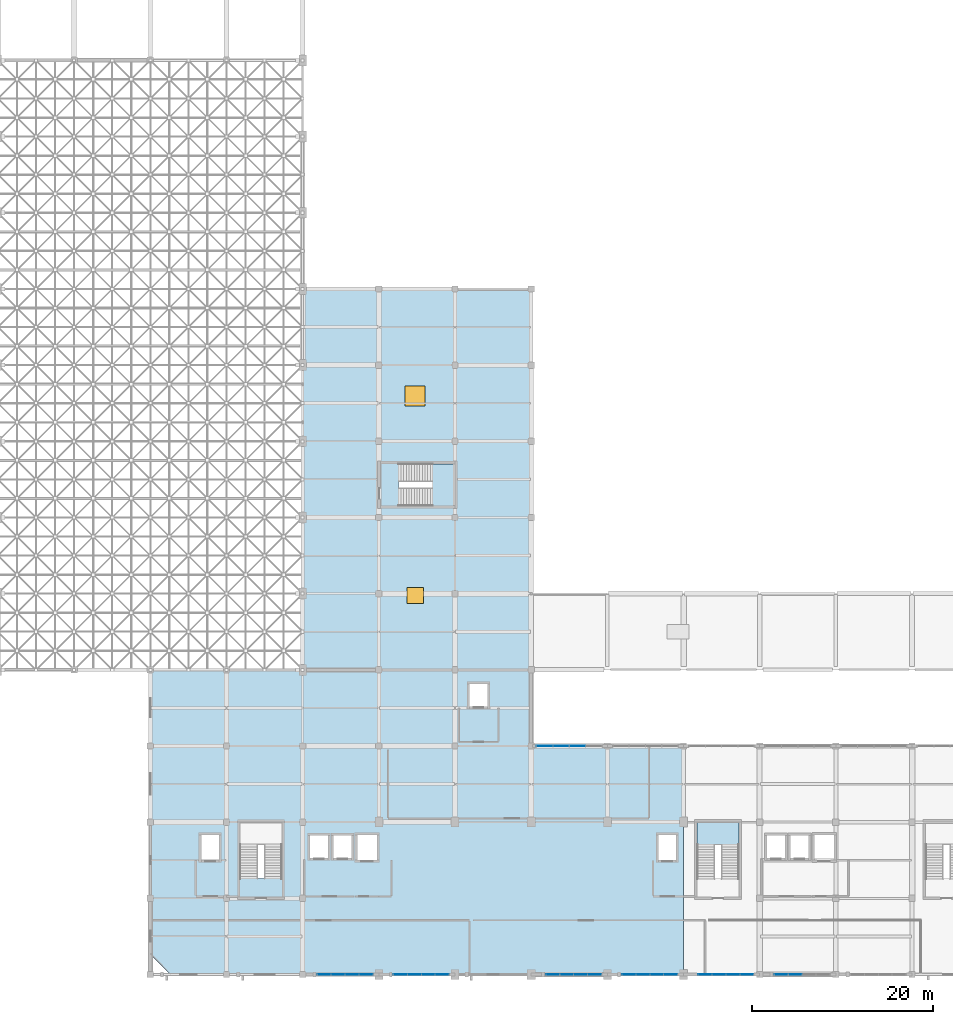
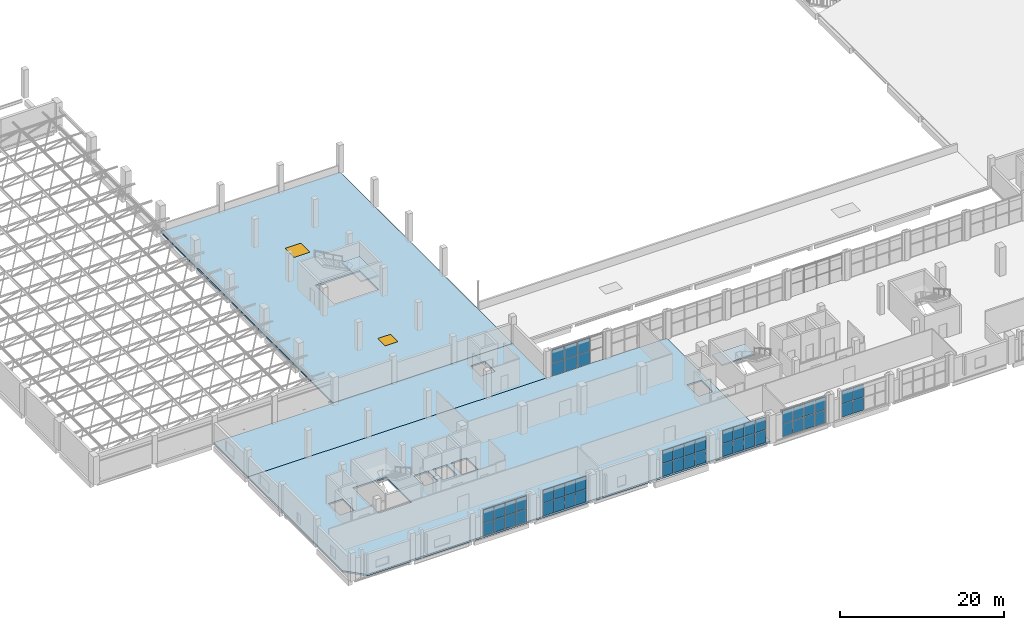
# One storey, part 39 of 64: 50 plates, 5 slabs, 2 windows, 2 openings, 9 elements without a shape of their own.
"""IFC4 building model written with IfcOpenShell, lengths in metres."""

from ifc_helpers import new_model, si_unit, derived_unit, direction, frame, origin, origin_2d, place, context, subcontext, project, spatial, polyline, rectangle, outline, extrude, material, layer, layer_set, type_object, element, fill, aggregate, save


model = new_model("IFC4")

# Units and contexts
model_context = context("Model", 3, precision=1e-05, world=origin(), true_north=direction((0.0, 1.0)))
body_context = subcontext(model_context, "Body", "Model", "MODEL_VIEW")
ifc_project = project(units=[si_unit("LENGTHUNIT", "METRE"), si_unit("AREAUNIT", "SQUARE_METRE"), si_unit("VOLUMEUNIT", "CUBIC_METRE"), si_unit("PLANEANGLEUNIT", "RADIAN"), si_unit("MASSUNIT", "GRAM", prefix="KILO"), derived_unit("THERMALTRANSMITTANCEUNIT", [(si_unit("POWERUNIT", "WATT"), 1), (si_unit("LENGTHUNIT", "METRE"), -2), (si_unit("THERMODYNAMICTEMPERATUREUNIT", "KELVIN"), -1)])], contexts=[model_context])

# Site, building, storey
site_placement = place(None, origin())
site = spatial("IfcSite", under=ifc_project, at=site_placement, CompositionType="ELEMENT")
building_placement = place(site_placement, origin())
building = spatial("IfcBuilding", under=site, at=building_placement, Name="Barrovel Congress Hotel", CompositionType="ELEMENT")
storey_placement = place(building_placement, frame((0.0, 0.0, 14.10009765625)))
storey = spatial("IfcBuildingStorey", under=building, at=storey_placement, Name="L03", CompositionType="ELEMENT", Elevation=14.10009765625)

# Curtain wall, plates
ifc_material_1 = material(Name="Anodised Aluminium Alloy 6063-T6", Category="aluminium")
curtain_wall_type = type_object("IfcCurtainWallType", Name="CW-ST-7200x3600", PredefinedType="USERDEFINED", material=ifc_material_1)
curtain_wall_1_placement = place(storey_placement, origin())
curtain_wall_1 = element("IfcCurtainWall", 1, at=curtain_wall_1_placement, inside=storey, type_object=curtain_wall_type, Name="CW:L03:S:04", ObjectType="STICK CURTAIN WALL", PredefinedType="USERDEFINED")
ifc_material_2 = material(Name="Double Low-E Insulated Glazing", Category="glass")
ifc_layer_1 = layer(ifc_material_2, 0.028076171875)
ifc_layer_set_1 = layer_set([ifc_layer_1], Name="Double Low-E Insulated Glazing")
plate_type_1 = type_object("IfcPlateType", Name="CWP-28", PredefinedType="CURTAIN_PANEL", material=ifc_layer_set_1)
plate_1_placement = place(storey_placement, frame((35.985107421875, 4.199951171875, 0.030029296875), z_axis=(0.0, 0.0, 1.0), x_axis=(1.0, 0.0, 0.0)))
plate_1 = element("IfcPlate", 2, at=plate_1_placement, type_object=plate_type_1, Name="CW:L03:S:04:P0-0", PredefinedType="CURTAIN_PANEL", context=body_context, shape_type="SweptSolid", body=[
    extrude(rectangle(XDim=1.469970703125, YDim=0.028076171875, at=origin_2d()), origin(), (0.0, 0.0, 1.0), 1.89990234375),
])
plate_2_placement = place(storey_placement, frame((35.985107421875, 4.199951171875, 1.989990234375), z_axis=(0.0, 0.0, 1.0), x_axis=(1.0, 0.0, 0.0)))
plate_2 = element("IfcPlate", 3, at=plate_2_placement, type_object=plate_type_1, Name="CW:L03:S:04:P0-1", PredefinedType="CURTAIN_PANEL", context=body_context, shape_type="SweptSolid", body=[
    extrude(rectangle(XDim=1.469970703125, YDim=0.028076171875, at=origin_2d()), origin(), (0.0, 0.0, 1.0), 1.89990234375),
])
plate_3_placement = place(storey_placement, frame((37.514892578125, 4.199951171875, 0.030029296875), z_axis=(0.0, 0.0, 1.0), x_axis=(1.0, 0.0, 0.0)))
plate_3 = element("IfcPlate", 4, at=plate_3_placement, type_object=plate_type_1, Name="CW:L03:S:04:P1-0", PredefinedType="CURTAIN_PANEL", context=body_context, shape_type="SweptSolid", body=[
    extrude(rectangle(XDim=1.469970703125, YDim=0.028076171875, at=origin_2d()), origin(), (0.0, 0.0, 1.0), 1.89990234375),
])
plate_4_placement = place(storey_placement, frame((37.514892578125, 4.199951171875, 1.989990234375), z_axis=(0.0, 0.0, 1.0), x_axis=(1.0, 0.0, 0.0)))
plate_4 = element("IfcPlate", 5, at=plate_4_placement, type_object=plate_type_1, Name="CW:L03:S:04:P1-1", PredefinedType="CURTAIN_PANEL", context=body_context, shape_type="SweptSolid", body=[
    extrude(rectangle(XDim=1.469970703125, YDim=0.028076171875, at=origin_2d()), origin(), (0.0, 0.0, 1.0), 1.89990234375),
])
plate_5_placement = place(storey_placement, frame((39.044921875, 4.199951171875, 0.030029296875), z_axis=(0.0, 0.0, 1.0), x_axis=(1.0, 0.0, 0.0)))
plate_5 = element("IfcPlate", 6, at=plate_5_placement, type_object=plate_type_1, Name="CW:L03:S:04:P2-0", PredefinedType="CURTAIN_PANEL", context=body_context, shape_type="SweptSolid", body=[
    extrude(rectangle(XDim=1.469970703125, YDim=0.028076171875, at=origin_2d()), origin(), (0.0, 0.0, 1.0), 1.89990234375),
])
plate_6_placement = place(storey_placement, frame((39.044921875, 4.199951171875, 1.989990234375), z_axis=(0.0, 0.0, 1.0), x_axis=(1.0, 0.0, 0.0)))
plate_6 = element("IfcPlate", 7, at=plate_6_placement, type_object=plate_type_1, Name="CW:L03:S:04:P2-1", PredefinedType="CURTAIN_PANEL", context=body_context, shape_type="SweptSolid", body=[
    extrude(rectangle(XDim=1.469970703125, YDim=0.028076171875, at=origin_2d()), origin(), (0.0, 0.0, 1.0), 1.89990234375),
])
plate_7_placement = place(storey_placement, frame((40.574951171875, 4.199951171875, 0.030029296875), z_axis=(0.0, 0.0, 1.0), x_axis=(1.0, 0.0, 0.0)))
plate_7 = element("IfcPlate", 8, at=plate_7_placement, type_object=plate_type_1, Name="CW:L03:S:04:P3-0", PredefinedType="CURTAIN_PANEL", context=body_context, shape_type="SweptSolid", body=[
    extrude(rectangle(XDim=1.469970703125, YDim=0.028076171875, at=origin_2d()), origin(), (0.0, 0.0, 1.0), 1.89990234375),
])
plate_8_placement = place(storey_placement, frame((40.574951171875, 4.199951171875, 1.989990234375), z_axis=(0.0, 0.0, 1.0), x_axis=(1.0, 0.0, 0.0)))
plate_8 = element("IfcPlate", 9, at=plate_8_placement, type_object=plate_type_1, Name="CW:L03:S:04:P3-1", PredefinedType="CURTAIN_PANEL", context=body_context, shape_type="SweptSolid", body=[
    extrude(rectangle(XDim=1.469970703125, YDim=0.028076171875, at=origin_2d()), origin(), (0.0, 0.0, 1.0), 1.89990234375),
])
aggregate(curtain_wall_1, [plate_1, plate_2, plate_3, plate_4, plate_5, plate_6, plate_7, plate_8])

curtain_wall_2_placement = place(storey_placement, origin())
curtain_wall_2 = element("IfcCurtainWall", 10, at=curtain_wall_2_placement, inside=storey, type_object=curtain_wall_type, Name="CW:L03:S:07", ObjectType="STICK CURTAIN WALL", PredefinedType="USERDEFINED")
plate_9_placement = place(storey_placement, frame((61.18505859375, 4.199951171875, 0.030029296875), z_axis=(0.0, 0.0, 1.0), x_axis=(1.0, 0.0, 0.0)))
plate_9 = element("IfcPlate", 11, at=plate_9_placement, type_object=plate_type_1, Name="CW:L03:S:07:P0-0", PredefinedType="CURTAIN_PANEL", context=body_context, shape_type="SweptSolid", body=[
    extrude(rectangle(XDim=1.469970703125, YDim=0.028076171875, at=origin_2d()), origin(), (0.0, 0.0, 1.0), 1.89990234375),
])
plate_10_placement = place(storey_placement, frame((61.18505859375, 4.199951171875, 1.989990234375), z_axis=(0.0, 0.0, 1.0), x_axis=(1.0, 0.0, 0.0)))
plate_10 = element("IfcPlate", 12, at=plate_10_placement, type_object=plate_type_1, Name="CW:L03:S:07:P0-1", PredefinedType="CURTAIN_PANEL", context=body_context, shape_type="SweptSolid", body=[
    extrude(rectangle(XDim=1.469970703125, YDim=0.028076171875, at=origin_2d()), origin(), (0.0, 0.0, 1.0), 1.89990234375),
])
plate_11_placement = place(storey_placement, frame((62.715087890625, 4.199951171875, 0.030029296875), z_axis=(0.0, 0.0, 1.0), x_axis=(1.0, 0.0, 0.0)))
plate_11 = element("IfcPlate", 13, at=plate_11_placement, type_object=plate_type_1, Name="CW:L03:S:07:P1-0", PredefinedType="CURTAIN_PANEL", context=body_context, shape_type="SweptSolid", body=[
    extrude(rectangle(XDim=1.469970703125, YDim=0.028076171875, at=origin_2d()), origin(), (0.0, 0.0, 1.0), 1.89990234375),
])
plate_12_placement = place(storey_placement, frame((62.715087890625, 4.199951171875, 1.989990234375), z_axis=(0.0, 0.0, 1.0), x_axis=(1.0, 0.0, 0.0)))
plate_12 = element("IfcPlate", 14, at=plate_12_placement, type_object=plate_type_1, Name="CW:L03:S:07:P1-1", PredefinedType="CURTAIN_PANEL", context=body_context, shape_type="SweptSolid", body=[
    extrude(rectangle(XDim=1.469970703125, YDim=0.028076171875, at=origin_2d()), origin(), (0.0, 0.0, 1.0), 1.89990234375),
])
plate_13_placement = place(storey_placement, frame((64.2451171875, 4.199951171875, 0.030029296875), z_axis=(0.0, 0.0, 1.0), x_axis=(1.0, 0.0, 0.0)))
plate_13 = element("IfcPlate", 15, at=plate_13_placement, type_object=plate_type_1, Name="CW:L03:S:07:P2-0", PredefinedType="CURTAIN_PANEL", context=body_context, shape_type="SweptSolid", body=[
    extrude(rectangle(XDim=1.469970703125, YDim=0.028076171875, at=origin_2d()), origin(), (0.0, 0.0, 1.0), 1.89990234375),
])
plate_14_placement = place(storey_placement, frame((64.2451171875, 4.199951171875, 1.989990234375), z_axis=(0.0, 0.0, 1.0), x_axis=(1.0, 0.0, 0.0)))
plate_14 = element("IfcPlate", 16, at=plate_14_placement, type_object=plate_type_1, Name="CW:L03:S:07:P2-1", PredefinedType="CURTAIN_PANEL", context=body_context, shape_type="SweptSolid", body=[
    extrude(rectangle(XDim=1.469970703125, YDim=0.028076171875, at=origin_2d()), origin(), (0.0, 0.0, 1.0), 1.89990234375),
])
plate_15_placement = place(storey_placement, frame((65.77490234375, 4.199951171875, 0.030029296875), z_axis=(0.0, 0.0, 1.0), x_axis=(1.0, 0.0, 0.0)))
plate_15 = element("IfcPlate", 17, at=plate_15_placement, type_object=plate_type_1, Name="CW:L03:S:07:P3-0", PredefinedType="CURTAIN_PANEL", context=body_context, shape_type="SweptSolid", body=[
    extrude(rectangle(XDim=1.469970703125, YDim=0.028076171875, at=origin_2d()), origin(), (0.0, 0.0, 1.0), 1.89990234375),
])
plate_16_placement = place(storey_placement, frame((65.77490234375, 4.199951171875, 1.989990234375), z_axis=(0.0, 0.0, 1.0), x_axis=(1.0, 0.0, 0.0)))
plate_16 = element("IfcPlate", 18, at=plate_16_placement, type_object=plate_type_1, Name="CW:L03:S:07:P3-1", PredefinedType="CURTAIN_PANEL", context=body_context, shape_type="SweptSolid", body=[
    extrude(rectangle(XDim=1.469970703125, YDim=0.028076171875, at=origin_2d()), origin(), (0.0, 0.0, 1.0), 1.89990234375),
])
aggregate(curtain_wall_2, [plate_9, plate_10, plate_11, plate_12, plate_13, plate_14, plate_15, plate_16])

curtain_wall_3_placement = place(storey_placement, origin())
curtain_wall_3 = element("IfcCurtainWall", 19, at=curtain_wall_3_placement, inside=storey, type_object=curtain_wall_type, Name="CW:L03:S:09", ObjectType="STICK CURTAIN WALL", PredefinedType="USERDEFINED")
plate_17_placement = place(storey_placement, frame((77.985107421875, 4.199951171875, 0.030029296875), z_axis=(0.0, 0.0, 1.0), x_axis=(1.0, 0.0, 0.0)))
plate_17 = element("IfcPlate", 20, at=plate_17_placement, type_object=plate_type_1, Name="CW:L03:S:09:P0-0", PredefinedType="CURTAIN_PANEL", context=body_context, shape_type="SweptSolid", body=[
    extrude(rectangle(XDim=1.469970703125, YDim=0.028076171875, at=origin_2d()), origin(), (0.0, 0.0, 1.0), 1.89990234375),
])
plate_18_placement = place(storey_placement, frame((77.985107421875, 4.199951171875, 1.989990234375), z_axis=(0.0, 0.0, 1.0), x_axis=(1.0, 0.0, 0.0)))
plate_18 = element("IfcPlate", 21, at=plate_18_placement, type_object=plate_type_1, Name="CW:L03:S:09:P0-1", PredefinedType="CURTAIN_PANEL", context=body_context, shape_type="SweptSolid", body=[
    extrude(rectangle(XDim=1.469970703125, YDim=0.028076171875, at=origin_2d()), origin(), (0.0, 0.0, 1.0), 1.89990234375),
])
plate_19_placement = place(storey_placement, frame((79.514892578125, 4.199951171875, 0.030029296875), z_axis=(0.0, 0.0, 1.0), x_axis=(1.0, 0.0, 0.0)))
plate_19 = element("IfcPlate", 22, at=plate_19_placement, type_object=plate_type_1, Name="CW:L03:S:09:P1-0", PredefinedType="CURTAIN_PANEL", context=body_context, shape_type="SweptSolid", body=[
    extrude(rectangle(XDim=1.469970703125, YDim=0.028076171875, at=origin_2d()), origin(), (0.0, 0.0, 1.0), 1.89990234375),
])
plate_20_placement = place(storey_placement, frame((79.514892578125, 4.199951171875, 1.989990234375), z_axis=(0.0, 0.0, 1.0), x_axis=(1.0, 0.0, 0.0)))
plate_20 = element("IfcPlate", 23, at=plate_20_placement, type_object=plate_type_1, Name="CW:L03:S:09:P1-1", PredefinedType="CURTAIN_PANEL", context=body_context, shape_type="SweptSolid", body=[
    extrude(rectangle(XDim=1.469970703125, YDim=0.028076171875, at=origin_2d()), origin(), (0.0, 0.0, 1.0), 1.89990234375),
])
plate_21_placement = place(storey_placement, frame((81.044921875, 4.199951171875, 0.030029296875), z_axis=(0.0, 0.0, 1.0), x_axis=(1.0, 0.0, 0.0)))
plate_21 = element("IfcPlate", 24, at=plate_21_placement, type_object=plate_type_1, Name="CW:L03:S:09:P2-0", PredefinedType="CURTAIN_PANEL", context=body_context, shape_type="SweptSolid", body=[
    extrude(rectangle(XDim=1.469970703125, YDim=0.028076171875, at=origin_2d()), origin(), (0.0, 0.0, 1.0), 1.89990234375),
])
plate_22_placement = place(storey_placement, frame((81.044921875, 4.199951171875, 1.989990234375), z_axis=(0.0, 0.0, 1.0), x_axis=(1.0, 0.0, 0.0)))
plate_22 = element("IfcPlate", 25, at=plate_22_placement, type_object=plate_type_1, Name="CW:L03:S:09:P2-1", PredefinedType="CURTAIN_PANEL", context=body_context, shape_type="SweptSolid", body=[
    extrude(rectangle(XDim=1.469970703125, YDim=0.028076171875, at=origin_2d()), origin(), (0.0, 0.0, 1.0), 1.89990234375),
])
plate_23_placement = place(storey_placement, frame((82.574951171875, 4.199951171875, 0.030029296875), z_axis=(0.0, 0.0, 1.0), x_axis=(1.0, 0.0, 0.0)))
plate_23 = element("IfcPlate", 26, at=plate_23_placement, type_object=plate_type_1, Name="CW:L03:S:09:P3-0", PredefinedType="CURTAIN_PANEL", context=body_context, shape_type="SweptSolid", body=[
    extrude(rectangle(XDim=1.469970703125, YDim=0.028076171875, at=origin_2d()), origin(), (0.0, 0.0, 1.0), 1.89990234375),
])
plate_24_placement = place(storey_placement, frame((82.574951171875, 4.199951171875, 1.989990234375), z_axis=(0.0, 0.0, 1.0), x_axis=(1.0, 0.0, 0.0)))
plate_24 = element("IfcPlate", 27, at=plate_24_placement, type_object=plate_type_1, Name="CW:L03:S:09:P3-1", PredefinedType="CURTAIN_PANEL", context=body_context, shape_type="SweptSolid", body=[
    extrude(rectangle(XDim=1.469970703125, YDim=0.028076171875, at=origin_2d()), origin(), (0.0, 0.0, 1.0), 1.89990234375),
])
aggregate(curtain_wall_3, [plate_17, plate_18, plate_19, plate_20, plate_21, plate_22, plate_23, plate_24])

curtain_wall_4_placement = place(storey_placement, origin())
curtain_wall_4 = element("IfcCurtainWall", 28, at=curtain_wall_4_placement, inside=storey, type_object=curtain_wall_type, Name="CW:L03:CS:07", ObjectType="STICK CURTAIN WALL", PredefinedType="USERDEFINED")
plate_25_placement = place(storey_placement, frame((63.89990234375, 29.39990234375, 0.030029296875), z_axis=(0.0, 0.0, 1.0), x_axis=(-1.0, 0.0, 0.0)))
plate_25 = element("IfcPlate", 29, at=plate_25_placement, type_object=plate_type_1, Name="CW:L03:CS:07:P1-0", PredefinedType="CURTAIN_PANEL", context=body_context, shape_type="SweptSolid", body=[
    extrude(rectangle(XDim=1.739990234375, YDim=0.028076171875, at=origin_2d()), origin(), (0.0, 0.0, 1.0), 1.89990234375),
])
plate_26_placement = place(storey_placement, frame((63.89990234375, 29.39990234375, 1.989990234375), z_axis=(0.0, 0.0, 1.0), x_axis=(-1.0, 0.0, 0.0)))
plate_26 = element("IfcPlate", 30, at=plate_26_placement, type_object=plate_type_1, Name="CW:L03:CS:07:P1-1", PredefinedType="CURTAIN_PANEL", context=body_context, shape_type="SweptSolid", body=[
    extrude(rectangle(XDim=1.739990234375, YDim=0.028076171875, at=origin_2d()), origin(), (0.0, 0.0, 1.0), 1.89990234375),
])
plate_27_placement = place(storey_placement, frame((62.10009765625, 29.39990234375, 0.030029296875), z_axis=(0.0, 0.0, 1.0), x_axis=(-1.0, 0.0, 0.0)))
plate_27 = element("IfcPlate", 31, at=plate_27_placement, type_object=plate_type_1, Name="CW:L03:CS:07:P2-0", PredefinedType="CURTAIN_PANEL", context=body_context, shape_type="SweptSolid", body=[
    extrude(rectangle(XDim=1.739990234375, YDim=0.028076171875, at=origin_2d()), origin(), (0.0, 0.0, 1.0), 1.89990234375),
])
plate_28_placement = place(storey_placement, frame((62.10009765625, 29.39990234375, 1.989990234375), z_axis=(0.0, 0.0, 1.0), x_axis=(-1.0, 0.0, 0.0)))
plate_28 = element("IfcPlate", 32, at=plate_28_placement, type_object=plate_type_1, Name="CW:L03:CS:07:P2-1", PredefinedType="CURTAIN_PANEL", context=body_context, shape_type="SweptSolid", body=[
    extrude(rectangle(XDim=1.739990234375, YDim=0.028076171875, at=origin_2d()), origin(), (0.0, 0.0, 1.0), 1.89990234375),
])
plate_29_placement = place(storey_placement, frame((60.300048828125, 29.39990234375, 0.030029296875), z_axis=(0.0, 0.0, 1.0), x_axis=(-1.0, 0.0, 0.0)))
plate_29 = element("IfcPlate", 33, at=plate_29_placement, type_object=plate_type_1, Name="CW:L03:CS:07:P3-0", PredefinedType="CURTAIN_PANEL", context=body_context, shape_type="SweptSolid", body=[
    extrude(rectangle(XDim=1.739990234375, YDim=0.028076171875, at=origin_2d()), origin(), (0.0, 0.0, 1.0), 1.89990234375),
])
plate_30_placement = place(storey_placement, frame((60.300048828125, 29.39990234375, 1.989990234375), z_axis=(0.0, 0.0, 1.0), x_axis=(-1.0, 0.0, 0.0)))
plate_30 = element("IfcPlate", 34, at=plate_30_placement, type_object=plate_type_1, Name="CW:L03:CS:07:P3-1", PredefinedType="CURTAIN_PANEL", context=body_context, shape_type="SweptSolid", body=[
    extrude(rectangle(XDim=1.739990234375, YDim=0.028076171875, at=origin_2d()), origin(), (0.0, 0.0, 1.0), 1.89990234375),
])
aggregate(curtain_wall_4, [plate_25, plate_26, plate_27, plate_28, plate_29, plate_30])

curtain_wall_5_placement = place(storey_placement, origin())
curtain_wall_5 = element("IfcCurtainWall", 35, at=curtain_wall_5_placement, inside=storey, type_object=curtain_wall_type, Name="CW:L03:S:05", ObjectType="STICK CURTAIN WALL", PredefinedType="USERDEFINED")
ifc_layer_2 = layer(ifc_material_2, 0.031982421875)
ifc_layer_set_2 = layer_set([ifc_layer_2], Name="Double Low-E Insulated Glazing")
plate_type_2 = type_object("IfcPlateType", Name="CWP-32", PredefinedType="CURTAIN_PANEL", material=ifc_layer_set_2)
plate_31_placement = place(storey_placement, frame((44.385009765625, 4.199951171875, 0.030029296875), z_axis=(0.0, 0.0, 1.0), x_axis=(1.0, 0.0, 0.0)))
plate_31 = element("IfcPlate", 36, at=plate_31_placement, type_object=plate_type_2, Name="CW:L03:S:05:P0-0", PredefinedType="CURTAIN_PANEL", context=body_context, shape_type="SweptSolid", body=[
    extrude(rectangle(XDim=1.469970703125, YDim=0.031982421875, at=origin_2d()), origin(), (0.0, 0.0, 1.0), 1.89990234375),
])
plate_32_placement = place(storey_placement, frame((44.385009765625, 4.199951171875, 1.989990234375), z_axis=(0.0, 0.0, 1.0), x_axis=(1.0, 0.0, 0.0)))
plate_32 = element("IfcPlate", 37, at=plate_32_placement, type_object=plate_type_2, Name="CW:L03:S:05:P0-1", PredefinedType="CURTAIN_PANEL", context=body_context, shape_type="SweptSolid", body=[
    extrude(rectangle(XDim=1.469970703125, YDim=0.031982421875, at=origin_2d()), origin(), (0.0, 0.0, 1.0), 1.89990234375),
])
plate_33_placement = place(storey_placement, frame((45.9150390625, 4.199951171875, 0.030029296875), z_axis=(0.0, 0.0, 1.0), x_axis=(1.0, 0.0, 0.0)))
plate_33 = element("IfcPlate", 38, at=plate_33_placement, type_object=plate_type_2, Name="CW:L03:S:05:P1-0", PredefinedType="CURTAIN_PANEL", context=body_context, shape_type="SweptSolid", body=[
    extrude(rectangle(XDim=1.469970703125, YDim=0.031982421875, at=origin_2d()), origin(), (0.0, 0.0, 1.0), 1.89990234375),
])
plate_34_placement = place(storey_placement, frame((45.9150390625, 4.199951171875, 1.989990234375), z_axis=(0.0, 0.0, 1.0), x_axis=(1.0, 0.0, 0.0)))
plate_34 = element("IfcPlate", 39, at=plate_34_placement, type_object=plate_type_2, Name="CW:L03:S:05:P1-1", PredefinedType="CURTAIN_PANEL", context=body_context, shape_type="SweptSolid", body=[
    extrude(rectangle(XDim=1.469970703125, YDim=0.031982421875, at=origin_2d()), origin(), (0.0, 0.0, 1.0), 1.89990234375),
])
plate_35_placement = place(storey_placement, frame((47.445068359375, 4.199951171875, 0.030029296875), z_axis=(0.0, 0.0, 1.0), x_axis=(1.0, 0.0, 0.0)))
plate_35 = element("IfcPlate", 40, at=plate_35_placement, type_object=plate_type_2, Name="CW:L03:S:05:P2-0", PredefinedType="CURTAIN_PANEL", context=body_context, shape_type="SweptSolid", body=[
    extrude(rectangle(XDim=1.469970703125, YDim=0.031982421875, at=origin_2d()), origin(), (0.0, 0.0, 1.0), 1.89990234375),
])
plate_36_placement = place(storey_placement, frame((47.445068359375, 4.199951171875, 1.989990234375), z_axis=(0.0, 0.0, 1.0), x_axis=(1.0, 0.0, 0.0)))
plate_36 = element("IfcPlate", 41, at=plate_36_placement, type_object=plate_type_2, Name="CW:L03:S:05:P2-1", PredefinedType="CURTAIN_PANEL", context=body_context, shape_type="SweptSolid", body=[
    extrude(rectangle(XDim=1.469970703125, YDim=0.031982421875, at=origin_2d()), origin(), (0.0, 0.0, 1.0), 1.89990234375),
])
plate_37_placement = place(storey_placement, frame((48.97509765625, 4.199951171875, 0.030029296875), z_axis=(0.0, 0.0, 1.0), x_axis=(1.0, 0.0, 0.0)))
plate_37 = element("IfcPlate", 42, at=plate_37_placement, type_object=plate_type_2, Name="CW:L03:S:05:P3-0", PredefinedType="CURTAIN_PANEL", context=body_context, shape_type="SweptSolid", body=[
    extrude(rectangle(XDim=1.469970703125, YDim=0.031982421875, at=origin_2d()), origin(), (0.0, 0.0, 1.0), 1.89990234375),
])
plate_38_placement = place(storey_placement, frame((48.97509765625, 4.199951171875, 1.989990234375), z_axis=(0.0, 0.0, 1.0), x_axis=(1.0, 0.0, 0.0)))
plate_38 = element("IfcPlate", 43, at=plate_38_placement, type_object=plate_type_2, Name="CW:L03:S:05:P3-1", PredefinedType="CURTAIN_PANEL", context=body_context, shape_type="SweptSolid", body=[
    extrude(rectangle(XDim=1.469970703125, YDim=0.031982421875, at=origin_2d()), origin(), (0.0, 0.0, 1.0), 1.89990234375),
])
aggregate(curtain_wall_5, [plate_31, plate_32, plate_33, plate_34, plate_35, plate_36, plate_37, plate_38])

curtain_wall_6_placement = place(storey_placement, origin())
curtain_wall_6 = element("IfcCurtainWall", 44, at=curtain_wall_6_placement, inside=storey, type_object=curtain_wall_type, Name="CW:L03:S:08", ObjectType="STICK CURTAIN WALL", PredefinedType="USERDEFINED")
plate_39_placement = place(storey_placement, frame((69.5849609375, 4.199951171875, 0.030029296875), z_axis=(0.0, 0.0, 1.0), x_axis=(1.0, 0.0, 0.0)))
plate_39 = element("IfcPlate", 45, at=plate_39_placement, type_object=plate_type_2, Name="CW:L03:S:08:P0-0", PredefinedType="CURTAIN_PANEL", context=body_context, shape_type="SweptSolid", body=[
    extrude(rectangle(XDim=1.469970703125, YDim=0.031982421875, at=origin_2d()), origin(), (0.0, 0.0, 1.0), 1.89990234375),
])
plate_40_placement = place(storey_placement, frame((69.5849609375, 4.199951171875, 1.989990234375), z_axis=(0.0, 0.0, 1.0), x_axis=(1.0, 0.0, 0.0)))
plate_40 = element("IfcPlate", 46, at=plate_40_placement, type_object=plate_type_2, Name="CW:L03:S:08:P0-1", PredefinedType="CURTAIN_PANEL", context=body_context, shape_type="SweptSolid", body=[
    extrude(rectangle(XDim=1.469970703125, YDim=0.031982421875, at=origin_2d()), origin(), (0.0, 0.0, 1.0), 1.89990234375),
])
plate_41_placement = place(storey_placement, frame((71.114990234375, 4.199951171875, 0.030029296875), z_axis=(0.0, 0.0, 1.0), x_axis=(1.0, 0.0, 0.0)))
plate_41 = element("IfcPlate", 47, at=plate_41_placement, type_object=plate_type_2, Name="CW:L03:S:08:P1-0", PredefinedType="CURTAIN_PANEL", context=body_context, shape_type="SweptSolid", body=[
    extrude(rectangle(XDim=1.469970703125, YDim=0.031982421875, at=origin_2d()), origin(), (0.0, 0.0, 1.0), 1.89990234375),
])
plate_42_placement = place(storey_placement, frame((71.114990234375, 4.199951171875, 1.989990234375), z_axis=(0.0, 0.0, 1.0), x_axis=(1.0, 0.0, 0.0)))
plate_42 = element("IfcPlate", 48, at=plate_42_placement, type_object=plate_type_2, Name="CW:L03:S:08:P1-1", PredefinedType="CURTAIN_PANEL", context=body_context, shape_type="SweptSolid", body=[
    extrude(rectangle(XDim=1.469970703125, YDim=0.031982421875, at=origin_2d()), origin(), (0.0, 0.0, 1.0), 1.89990234375),
])
plate_43_placement = place(storey_placement, frame((72.64501953125, 4.199951171875, 0.030029296875), z_axis=(0.0, 0.0, 1.0), x_axis=(1.0, 0.0, 0.0)))
plate_43 = element("IfcPlate", 49, at=plate_43_placement, type_object=plate_type_2, Name="CW:L03:S:08:P2-0", PredefinedType="CURTAIN_PANEL", context=body_context, shape_type="SweptSolid", body=[
    extrude(rectangle(XDim=1.469970703125, YDim=0.031982421875, at=origin_2d()), origin(), (0.0, 0.0, 1.0), 1.89990234375),
])
plate_44_placement = place(storey_placement, frame((72.64501953125, 4.199951171875, 1.989990234375), z_axis=(0.0, 0.0, 1.0), x_axis=(1.0, 0.0, 0.0)))
plate_44 = element("IfcPlate", 50, at=plate_44_placement, type_object=plate_type_2, Name="CW:L03:S:08:P2-1", PredefinedType="CURTAIN_PANEL", context=body_context, shape_type="SweptSolid", body=[
    extrude(rectangle(XDim=1.469970703125, YDim=0.031982421875, at=origin_2d()), origin(), (0.0, 0.0, 1.0), 1.89990234375),
])
plate_45_placement = place(storey_placement, frame((74.175048828125, 4.199951171875, 0.030029296875), z_axis=(0.0, 0.0, 1.0), x_axis=(1.0, 0.0, 0.0)))
plate_45 = element("IfcPlate", 51, at=plate_45_placement, type_object=plate_type_2, Name="CW:L03:S:08:P3-0", PredefinedType="CURTAIN_PANEL", context=body_context, shape_type="SweptSolid", body=[
    extrude(rectangle(XDim=1.469970703125, YDim=0.031982421875, at=origin_2d()), origin(), (0.0, 0.0, 1.0), 1.89990234375),
])
plate_46_placement = place(storey_placement, frame((74.175048828125, 4.199951171875, 1.989990234375), z_axis=(0.0, 0.0, 1.0), x_axis=(1.0, 0.0, 0.0)))
plate_46 = element("IfcPlate", 52, at=plate_46_placement, type_object=plate_type_2, Name="CW:L03:S:08:P3-1", PredefinedType="CURTAIN_PANEL", context=body_context, shape_type="SweptSolid", body=[
    extrude(rectangle(XDim=1.469970703125, YDim=0.031982421875, at=origin_2d()), origin(), (0.0, 0.0, 1.0), 1.89990234375),
])
aggregate(curtain_wall_6, [plate_39, plate_40, plate_41, plate_42, plate_43, plate_44, plate_45, plate_46])

curtain_wall_7_placement = place(storey_placement, origin())
curtain_wall_7 = element("IfcCurtainWall", 53, at=curtain_wall_7_placement, inside=storey, type_object=curtain_wall_type, Name="CW:L03:S:10", ObjectType="STICK CURTAIN WALL", PredefinedType="USERDEFINED")
plate_47_placement = place(storey_placement, frame((86.385009765625, 4.199951171875, 0.030029296875), z_axis=(0.0, 0.0, 1.0), x_axis=(1.0, 0.0, 0.0)))
plate_47 = element("IfcPlate", 54, at=plate_47_placement, type_object=plate_type_2, Name="CW:L03:S:10:P0-0", PredefinedType="CURTAIN_PANEL", context=body_context, shape_type="SweptSolid", body=[
    extrude(rectangle(XDim=1.469970703125, YDim=0.031982421875, at=origin_2d()), origin(), (0.0, 0.0, 1.0), 1.89990234375),
])
plate_48_placement = place(storey_placement, frame((86.385009765625, 4.199951171875, 1.989990234375), z_axis=(0.0, 0.0, 1.0), x_axis=(1.0, 0.0, 0.0)))
plate_48 = element("IfcPlate", 55, at=plate_48_placement, type_object=plate_type_2, Name="CW:L03:S:10:P0-1", PredefinedType="CURTAIN_PANEL", context=body_context, shape_type="SweptSolid", body=[
    extrude(rectangle(XDim=1.469970703125, YDim=0.031982421875, at=origin_2d()), origin(), (0.0, 0.0, 1.0), 1.89990234375),
])
plate_49_placement = place(storey_placement, frame((87.9150390625, 4.199951171875, 0.030029296875), z_axis=(0.0, 0.0, 1.0), x_axis=(1.0, 0.0, 0.0)))
plate_49 = element("IfcPlate", 56, at=plate_49_placement, type_object=plate_type_2, Name="CW:L03:S:10:P1-0", PredefinedType="CURTAIN_PANEL", context=body_context, shape_type="SweptSolid", body=[
    extrude(rectangle(XDim=1.469970703125, YDim=0.031982421875, at=origin_2d()), origin(), (0.0, 0.0, 1.0), 1.89990234375),
])
plate_50_placement = place(storey_placement, frame((87.9150390625, 4.199951171875, 1.989990234375), z_axis=(0.0, 0.0, 1.0), x_axis=(1.0, 0.0, 0.0)))
plate_50 = element("IfcPlate", 57, at=plate_50_placement, type_object=plate_type_2, Name="CW:L03:S:10:P1-1", PredefinedType="CURTAIN_PANEL", context=body_context, shape_type="SweptSolid", body=[
    extrude(rectangle(XDim=1.469970703125, YDim=0.031982421875, at=origin_2d()), origin(), (0.0, 0.0, 1.0), 1.89990234375),
])
aggregate(curtain_wall_7, [plate_47, plate_48, plate_49, plate_50])

# Slabs
ifc_material_3 = material(Name="Concrete C35", Category="concrete")
ifc_layer_3 = layer(ifc_material_3, 0.239990234375)
ifc_layer_set_3 = layer_set([ifc_layer_3], Name="Concrete C35")
slab_type_1 = type_object("IfcSlabType", Name="SL-F240", PredefinedType="FLOOR", material=ifc_layer_set_3)
slab_1_placement = place(storey_placement, frame((0.0, 0.0, -0.239990234375)))
element("IfcSlab", 58, at=slab_1_placement, inside=storey, type_object=slab_type_1, Name="SLAB:L03:V4-1", PredefinedType="FLOOR", context=body_context, shape_type="SweptSolid", body=[
    extrude(outline(polyline([(19.0, 4.199951171875), (75.60009765625, 4.199951171875), (75.60009765625, 29.39990234375), (16.800048828125, 29.39990234375), (16.800048828125, 6.39990234375), (19.0, 4.199951171875)]), holes=[polyline([(26.699951171875, 14.780029296875), (26.699951171875, 21.0), (31.300048828125, 21.0), (31.300048828125, 14.780029296875), (26.699951171875, 14.780029296875)]), polyline([(22.39990234375, 16.800048828125), (22.39990234375, 19.60009765625), (24.39990234375, 19.60009765625), (24.39990234375, 16.800048828125), (22.39990234375, 16.800048828125)]), polyline([(72.800048828125, 16.800048828125), (72.800048828125, 19.60009765625), (74.800048828125, 19.60009765625), (74.800048828125, 16.800048828125), (72.800048828125, 16.800048828125)]), polyline([(34.39990234375, 17.050048828125), (34.39990234375, 19.550048828125), (36.39990234375, 19.550048828125), (36.39990234375, 17.050048828125), (34.39990234375, 17.050048828125)]), polyline([(37.0, 17.050048828125), (37.0, 19.550048828125), (39.0, 19.550048828125), (39.0, 17.050048828125), (37.0, 17.050048828125)]), polyline([(39.60009765625, 16.800048828125), (39.60009765625, 19.60009765625), (41.800048828125, 19.60009765625), (41.800048828125, 16.800048828125), (39.60009765625, 16.800048828125)])]), origin(), (0.0, 0.0, 1.0), 0.239990234375),
])
slab_2_placement = place(storey_placement, frame((0.0, 0.0, -0.239990234375)))
element("IfcSlab", 59, at=slab_2_placement, inside=storey, type_object=slab_type_1, Name="SLAB:L03:V4-4", PredefinedType="FLOOR", context=body_context, shape_type="SweptSolid", body=[
    extrude(outline(polyline([(16.800048828125, 29.39990234375), (58.800048828125, 29.39990234375), (58.800048828125, 37.800048828125), (16.800048828125, 37.800048828125), (16.800048828125, 29.39990234375)]), holes=[polyline([(52.0, 33.75), (52.0, 36.25), (54.0, 36.25), (54.0, 33.75), (52.0, 33.75)])]), origin(), (0.0, 0.0, 1.0), 0.239990234375),
])

# Stair, slab
ifc_material_4 = material(Name="Concrete C40", Category="concrete")
stair_type_1 = type_object("IfcStairType", Name="STR-HT-420", PredefinedType="HALF_TURN_STAIR", material=ifc_material_4)
stair_1_placement = place(storey_placement, origin())
stair_1 = element("IfcStair", 60, at=stair_1_placement, inside=storey, type_object=stair_type_1, Name="Exit Stair XS-02 (L03)", PredefinedType="HALF_TURN_STAIR")
ifc_layer_4 = layer(ifc_material_4, 0.2099609375)
ifc_layer_set_4 = layer_set([ifc_layer_4], Name="Concrete C40")
slab_type_2 = type_object("IfcSlabType", Name="SL-LDG-210", PredefinedType="LANDING", material=ifc_layer_set_4)
slab_3_placement = place(storey_placement, frame((0.0, 0.0, 1.889892578125)))
slab_3 = element("IfcSlab", 61, at=slab_3_placement, type_object=slab_type_2, Name="STAIR:XS-02:L03:LDG", PredefinedType="LANDING", context=body_context, shape_type="SweptSolid", body=[
    extrude(outline(polyline([(77.080078125, 18.544921875), (81.719970703125, 18.544921875), (81.719970703125, 21.02001953125), (77.080078125, 21.02001953125), (77.080078125, 18.544921875)])), origin(), (0.0, 0.0, 1.0), 0.2099609375),
])
aggregate(stair_1, [slab_3])

stair_type_2 = type_object("IfcStairType", Name="STR-DR-420", PredefinedType="DOUBLE_RETURN_STAIR", material=ifc_material_4)
stair_2_placement = place(storey_placement, origin())
stair_2 = element("IfcStair", 62, at=stair_2_placement, inside=storey, type_object=stair_type_2, Name="Exit Stair XS-05 (L03)", PredefinedType="DOUBLE_RETURN_STAIR")
slab_4_placement = place(storey_placement, frame((0.0, 0.0, 1.889892578125)))
slab_4 = element("IfcSlab", 63, at=slab_4_placement, type_object=slab_type_2, Name="STAIR:XS-05:L03:LDG", PredefinedType="LANDING", context=body_context, shape_type="SweptSolid", body=[
    extrude(outline(polyline([(47.945068359375, 55.8798828125), (50.419921875, 55.8798828125), (50.419921875, 60.52001953125), (47.945068359375, 60.52001953125), (47.945068359375, 55.8798828125)])), origin(), (0.0, 0.0, 1.0), 0.2099609375),
])
aggregate(stair_2, [slab_4])

# Slab, openings, windows
ifc_layer_5 = layer(ifc_material_3, 0.239990234375)
ifc_layer_set_5 = layer_set([ifc_layer_5], Name="Concrete C35")
slab_type_3 = type_object("IfcSlabType", Name="SL-R240", PredefinedType="ROOF", material=ifc_layer_set_5)
slab_5_placement = place(storey_placement, frame((0.0, 0.0, -0.239990234375)))
slab_5 = element("IfcSlab", 64, at=slab_5_placement, inside=storey, type_object=slab_type_3, Name="SLAB:L03:V1-FOYER-ROOF", PredefinedType="ROOF", context=body_context, shape_type="SweptSolid", body=[
    extrude(outline(polyline([(33.60009765625, 37.800048828125), (58.800048828125, 37.800048828125), (58.800048828125, 79.800048828125), (33.60009765625, 79.800048828125), (33.60009765625, 37.800048828125)]), holes=[polyline([(44.179931640625, 55.89990234375), (44.179931640625, 60.5), (50.39990234375, 60.5), (50.39990234375, 55.89990234375), (44.179931640625, 55.89990234375)])]), origin(), (0.0, 0.0, 1.0), 0.239990234375),
])
opening_1_placement = place(slab_5_placement, frame((46.0, 46.0, -0.010009765625)))
opening_1 = element("IfcOpeningElement", 65, at=opening_1_placement, cuts=slab_5, Name="Opening SK-01", PredefinedType="OPENING", context=body_context, shape_type="SweptSolid", body=[
    extrude(rectangle(XDim=1.800048828125, YDim=1.800048828125, at=origin_2d()), origin(), (0.0, 0.0, 1.0), 0.260009765625),
])
opening_2_placement = place(slab_5_placement, frame((46.0, 68.0, -0.010009765625)))
opening_2 = element("IfcOpeningElement", 66, at=opening_2_placement, cuts=slab_5, Name="Opening SK-02", PredefinedType="OPENING", context=body_context, shape_type="SweptSolid", body=[
    extrude(rectangle(XDim=2.199951171875, YDim=2.199951171875, at=origin_2d()), origin(), (0.0, 0.0, 1.0), 0.260009765625),
])
window_type_1 = type_object("IfcWindowType", Name="SKY-01", PartitioningType="SINGLE_PANEL", PredefinedType="SKYLIGHT", material=ifc_material_2)
window_1_placement = place(slab_5_placement, frame((46.0, 46.0, 0.18994140625)))
window_1 = element("IfcWindow", 67, at=window_1_placement, inside=storey, type_object=window_type_1, Name="Curb-Mounted Roof Skylight SK-1", OverallHeight=1.800048828125, OverallWidth=1.800048828125, PartitioningType="SINGLE_PANEL", PredefinedType="SKYLIGHT", context=body_context, shape_type="SweptSolid", body=[
    extrude(rectangle(XDim=1.800048828125, YDim=1.800048828125, at=origin_2d()), origin(), (0.0, 0.0, 1.0), 0.050048828125),
])
fill(opening_1, window_1)
window_type_2 = type_object("IfcWindowType", Name="SKY-02", PartitioningType="SINGLE_PANEL", PredefinedType="SKYLIGHT", material=ifc_material_2)
window_2_placement = place(slab_5_placement, frame((46.0, 68.0, 0.18994140625)))
window_2 = element("IfcWindow", 68, at=window_2_placement, inside=storey, type_object=window_type_2, Name="Curb-Mounted Roof Skylight SK-2", OverallHeight=2.199951171875, OverallWidth=2.199951171875, PartitioningType="SINGLE_PANEL", PredefinedType="SKYLIGHT", context=body_context, shape_type="SweptSolid", body=[
    extrude(rectangle(XDim=2.199951171875, YDim=2.199951171875, at=origin_2d()), origin(), (0.0, 0.0, 1.0), 0.050048828125),
])
fill(opening_2, window_2)

save(model, "model.ifc")
